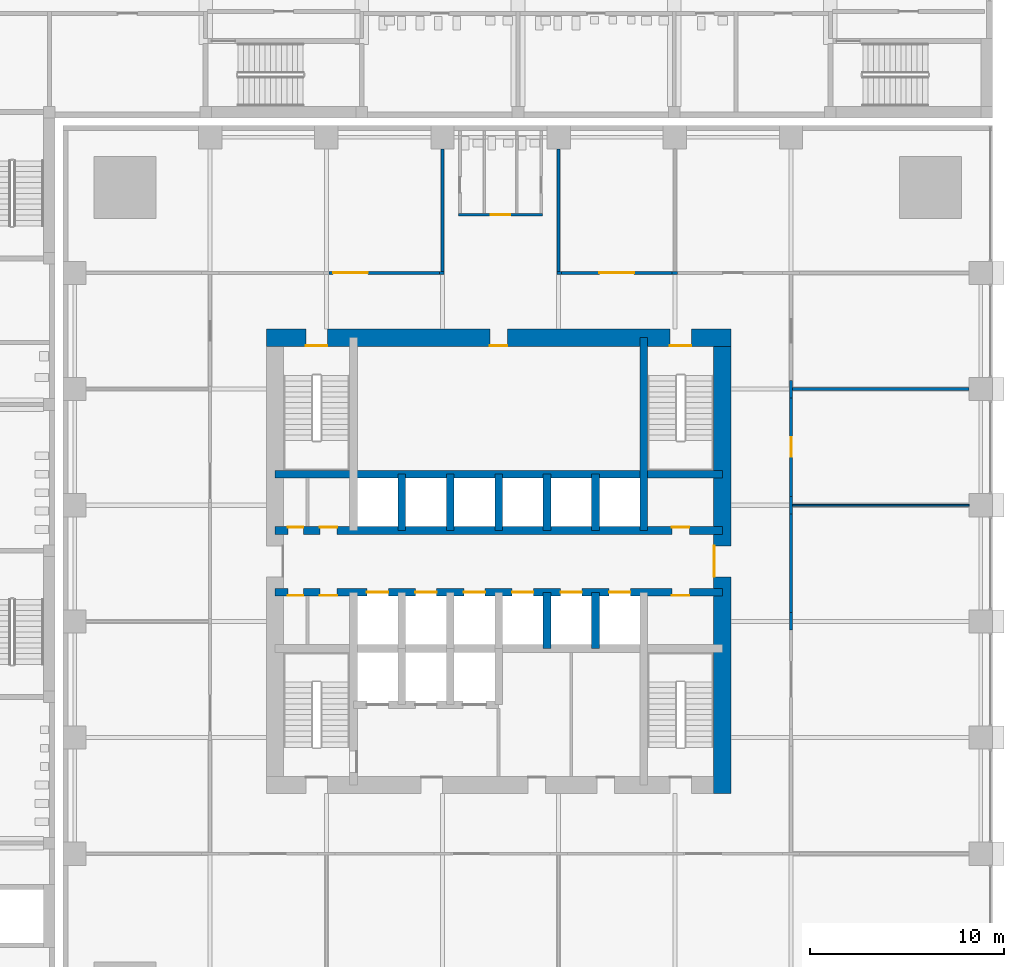
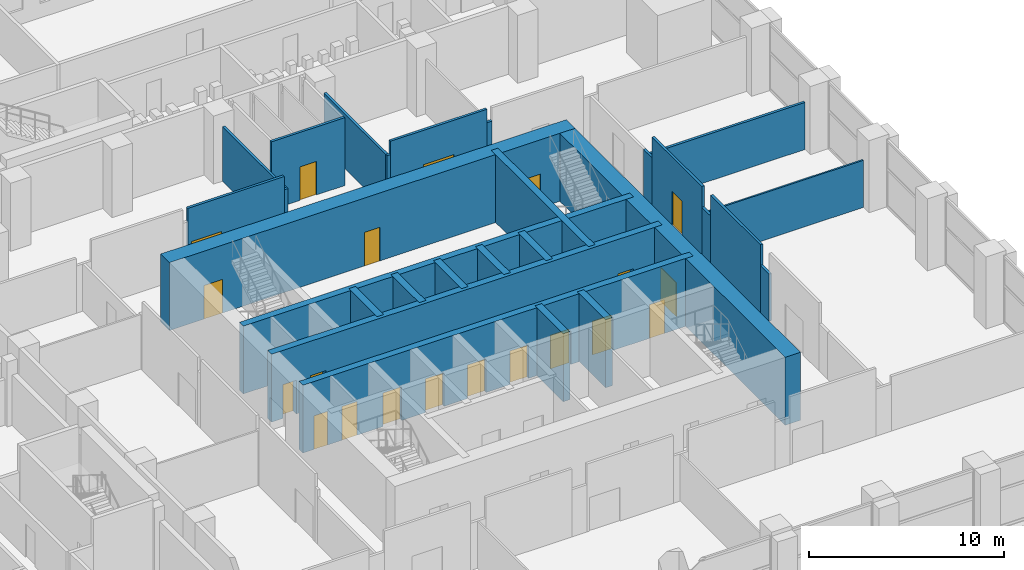
# One storey, part 14 of 24: 28 walls, 20 doors, 20 openings.
"""IFC4 building model written with IfcOpenShell, lengths in metres."""

from ifc_helpers import new_model, si_unit, direction, frame, frame_2d, origin, place, context, subcontext, project, spatial, rectangle, extrude, material, layer, layer_set, type_object, element, fill, save


model = new_model("IFC4")

# Units and contexts
model_context = context("Model", 3, precision=1e-05, world=origin(), true_north=direction((0.0, 1.0)))
body_context = subcontext(model_context, "Body", "Model", "MODEL_VIEW")
ifc_project = project(units=[si_unit("LENGTHUNIT", "METRE"), si_unit("AREAUNIT", "SQUARE_METRE"), si_unit("VOLUMEUNIT", "CUBIC_METRE"), si_unit("PLANEANGLEUNIT", "RADIAN"), si_unit("MASSUNIT", "GRAM", prefix="KILO")], contexts=[model_context])

# Site, building, storey
site_placement = place(None, origin())
site = spatial("IfcSite", under=ifc_project, at=site_placement, CompositionType="ELEMENT")
building_placement = place(site_placement, origin())
building = spatial("IfcBuilding", under=site, at=building_placement, Name="Amberfall Residences", CompositionType="ELEMENT")
storey_placement = place(building_placement, frame((0.0, 0.0, 19.0)))
storey = spatial("IfcBuildingStorey", under=building, at=storey_placement, Name="L04", CompositionType="ELEMENT", Elevation=19.0)

# Wall, openings, doors
ifc_material_1 = material(Name="Concrete C80", Category="concrete")
ifc_layer_1 = layer(ifc_material_1, 0.39990234375)
ifc_layer_set_1 = layer_set([ifc_layer_1], Name="Core wall 400 C80")
wall_type_1 = type_object("IfcWallType", Name="Core wall 400 C80", PredefinedType="SHEAR", material=ifc_layer_set_1)
wall_1_placement = place(storey_placement, frame((62.949951171875, 43.89990234375, 0.0), z_axis=(0.0, 0.0, 1.0), x_axis=(1.0, 0.0, 0.0)))
wall_1 = element("IfcWall", 1, at=wall_1_placement, inside=storey, type_object=wall_type_1, Name="Core wall RW2 L04 H104", PredefinedType="SHEAR", context=body_context, shape_type="SweptSolid", body=[
    extrude(rectangle(XDim=23.10009765625, YDim=0.39990234375, at=frame_2d((11.550048828125, 0.0))), origin(), (0.0, 0.0, 1.0), 4.25),
])
opening_1_placement = place(wall_1_placement, frame((0.662109375, 0.0, 0.0)))
opening_1 = element("IfcOpeningElement", 2, at=opening_1_placement, cuts=wall_1, Name="Opening RD2", PredefinedType="OPENING", context=body_context, shape_type="SweptSolid", body=[
    extrude(rectangle(XDim=0.800048828125, YDim=2.10009765625, at=frame_2d((0.39990234375, 1.050048828125))), frame((0.0, 0.2099609375, 0.0), z_axis=(0.0, -1.0, 0.0), x_axis=(1.0, 0.0, 0.0)), (0.0, 0.0, 1.0), 0.419921875),
])
opening_2_placement = place(wall_1_placement, frame((2.31201171875, 0.0, 0.0)))
opening_2 = element("IfcOpeningElement", 3, at=opening_2_placement, cuts=wall_1, Name="Opening RD1", PredefinedType="OPENING", context=body_context, shape_type="SweptSolid", body=[
    extrude(rectangle(XDim=0.89990234375, YDim=2.10009765625, at=frame_2d((0.449951171875, 1.050048828125))), frame((0.0, 0.2099609375, 0.0), z_axis=(0.0, -1.0, 0.0), x_axis=(1.0, 0.0, 0.0)), (0.0, 0.0, 1.0), 0.419921875),
])
opening_3_placement = place(wall_1_placement, frame((20.5, 0.0, 0.0)))
opening_3 = element("IfcOpeningElement", 4, at=opening_3_placement, cuts=wall_1, Name="Opening RD1", PredefinedType="OPENING", context=body_context, shape_type="SweptSolid", body=[
    extrude(rectangle(XDim=0.89990234375, YDim=2.10009765625, at=frame_2d((0.449951171875, 1.050048828125))), frame((0.0, 0.2099609375, 0.0), z_axis=(0.0, -1.0, 0.0), x_axis=(1.0, 0.0, 0.0)), (0.0, 0.0, 1.0), 0.419921875),
])
opening_4_placement = place(wall_1_placement, frame((4.75, 0.0, 0.0)))
opening_4 = element("IfcOpeningElement", 5, at=opening_4_placement, cuts=wall_1, Name="Opening LD1", PredefinedType="OPENING", context=body_context, shape_type="SweptSolid", body=[
    extrude(rectangle(XDim=1.10009765625, YDim=2.10009765625, at=frame_2d((0.550048828125, 1.050048828125))), frame((0.0, 0.2099609375, 0.0), z_axis=(0.0, -1.0, 0.0), x_axis=(1.0, 0.0, 0.0)), (0.0, 0.0, 1.0), 0.419921875),
])
opening_5_placement = place(wall_1_placement, frame((7.25, 0.0, 0.0)))
opening_5 = element("IfcOpeningElement", 6, at=opening_5_placement, cuts=wall_1, Name="Opening LD1", PredefinedType="OPENING", context=body_context, shape_type="SweptSolid", body=[
    extrude(rectangle(XDim=1.10009765625, YDim=2.10009765625, at=frame_2d((0.550048828125, 1.050048828125))), frame((0.0, 0.2099609375, 0.0), z_axis=(0.0, -1.0, 0.0), x_axis=(1.0, 0.0, 0.0)), (0.0, 0.0, 1.0), 0.419921875),
])
opening_6_placement = place(wall_1_placement, frame((9.75, 0.0, 0.0)))
opening_6 = element("IfcOpeningElement", 7, at=opening_6_placement, cuts=wall_1, Name="Opening LD1", PredefinedType="OPENING", context=body_context, shape_type="SweptSolid", body=[
    extrude(rectangle(XDim=1.10009765625, YDim=2.10009765625, at=frame_2d((0.550048828125, 1.050048828125))), frame((0.0, 0.2099609375, 0.0), z_axis=(0.0, -1.0, 0.0), x_axis=(1.0, 0.0, 0.0)), (0.0, 0.0, 1.0), 0.419921875),
])
opening_7_placement = place(wall_1_placement, frame((12.25, 0.0, 0.0)))
opening_7 = element("IfcOpeningElement", 8, at=opening_7_placement, cuts=wall_1, Name="Opening LD1", PredefinedType="OPENING", context=body_context, shape_type="SweptSolid", body=[
    extrude(rectangle(XDim=1.10009765625, YDim=2.10009765625, at=frame_2d((0.550048828125, 1.050048828125))), frame((0.0, 0.2099609375, 0.0), z_axis=(0.0, -1.0, 0.0), x_axis=(1.0, 0.0, 0.0)), (0.0, 0.0, 1.0), 0.419921875),
])
opening_8_placement = place(wall_1_placement, frame((14.75, 0.0, 0.0)))
opening_8 = element("IfcOpeningElement", 9, at=opening_8_placement, cuts=wall_1, Name="Opening LD1", PredefinedType="OPENING", context=body_context, shape_type="SweptSolid", body=[
    extrude(rectangle(XDim=1.10009765625, YDim=2.10009765625, at=frame_2d((0.550048828125, 1.050048828125))), frame((0.0, 0.2099609375, 0.0), z_axis=(0.0, -1.0, 0.0), x_axis=(1.0, 0.0, 0.0)), (0.0, 0.0, 1.0), 0.419921875),
])
opening_9_placement = place(wall_1_placement, frame((17.25, 0.0, 0.0)))
opening_9 = element("IfcOpeningElement", 10, at=opening_9_placement, cuts=wall_1, Name="Opening LD1", PredefinedType="OPENING", context=body_context, shape_type="SweptSolid", body=[
    extrude(rectangle(XDim=1.10009765625, YDim=2.10009765625, at=frame_2d((0.550048828125, 1.050048828125))), frame((0.0, 0.2099609375, 0.0), z_axis=(0.0, -1.0, 0.0), x_axis=(1.0, 0.0, 0.0)), (0.0, 0.0, 1.0), 0.419921875),
])
ifc_material_2 = material(Name="Steel fire door set", Category="steel")
door_type_1 = type_object("IfcDoorType", Name="Lift landing door 1100 x 2100", OperationType="DOUBLE_DOOR_SLIDING", PredefinedType="DOOR", material=ifc_material_2)
door_1_placement = place(opening_4_placement, origin())
door_1 = element("IfcDoor", 11, at=door_1_placement, inside=storey, type_object=door_type_1, Name="Landing door LP1 L04", OperationType="DOUBLE_DOOR_SLIDING", OverallHeight=2.10009765625, OverallWidth=1.10009765625, PredefinedType="DOOR", context=body_context, shape_type="SweptSolid", body=[
    extrude(rectangle(XDim=1.10009765625, YDim=2.10009765625, at=frame_2d((0.550048828125, 1.050048828125))), frame((0.0, 0.02490234375, 0.0), z_axis=(0.0, -1.0, 0.0), x_axis=(1.0, 0.0, 0.0)), (0.0, 0.0, 1.0), 0.050048828125),
])
fill(opening_4, door_1)
door_2_placement = place(opening_5_placement, origin())
door_2 = element("IfcDoor", 12, at=door_2_placement, inside=storey, type_object=door_type_1, Name="Landing door LP2 L04", OperationType="DOUBLE_DOOR_SLIDING", OverallHeight=2.10009765625, OverallWidth=1.10009765625, PredefinedType="DOOR", context=body_context, shape_type="SweptSolid", body=[
    extrude(rectangle(XDim=1.10009765625, YDim=2.10009765625, at=frame_2d((0.550048828125, 1.050048828125))), frame((0.0, 0.02490234375, 0.0), z_axis=(0.0, -1.0, 0.0), x_axis=(1.0, 0.0, 0.0)), (0.0, 0.0, 1.0), 0.050048828125),
])
fill(opening_5, door_2)
door_3_placement = place(opening_6_placement, origin())
door_3 = element("IfcDoor", 13, at=door_3_placement, inside=storey, type_object=door_type_1, Name="Landing door LP3 L04", OperationType="DOUBLE_DOOR_SLIDING", OverallHeight=2.10009765625, OverallWidth=1.10009765625, PredefinedType="DOOR", context=body_context, shape_type="SweptSolid", body=[
    extrude(rectangle(XDim=1.10009765625, YDim=2.10009765625, at=frame_2d((0.550048828125, 1.050048828125))), frame((0.0, 0.02490234375, 0.0), z_axis=(0.0, -1.0, 0.0), x_axis=(1.0, 0.0, 0.0)), (0.0, 0.0, 1.0), 0.050048828125),
])
fill(opening_6, door_3)
door_4_placement = place(opening_7_placement, origin())
door_4 = element("IfcDoor", 14, at=door_4_placement, inside=storey, type_object=door_type_1, Name="Landing door LP4 L04", OperationType="DOUBLE_DOOR_SLIDING", OverallHeight=2.10009765625, OverallWidth=1.10009765625, PredefinedType="DOOR", context=body_context, shape_type="SweptSolid", body=[
    extrude(rectangle(XDim=1.10009765625, YDim=2.10009765625, at=frame_2d((0.550048828125, 1.050048828125))), frame((0.0, 0.02490234375, 0.0), z_axis=(0.0, -1.0, 0.0), x_axis=(1.0, 0.0, 0.0)), (0.0, 0.0, 1.0), 0.050048828125),
])
fill(opening_7, door_4)
door_5_placement = place(opening_8_placement, origin())
door_5 = element("IfcDoor", 15, at=door_5_placement, inside=storey, type_object=door_type_1, Name="Landing door LP5 L04", OperationType="DOUBLE_DOOR_SLIDING", OverallHeight=2.10009765625, OverallWidth=1.10009765625, PredefinedType="DOOR", context=body_context, shape_type="SweptSolid", body=[
    extrude(rectangle(XDim=1.10009765625, YDim=2.10009765625, at=frame_2d((0.550048828125, 1.050048828125))), frame((0.0, 0.02490234375, 0.0), z_axis=(0.0, -1.0, 0.0), x_axis=(1.0, 0.0, 0.0)), (0.0, 0.0, 1.0), 0.050048828125),
])
fill(opening_8, door_5)
door_6_placement = place(opening_9_placement, origin())
door_6 = element("IfcDoor", 16, at=door_6_placement, inside=storey, type_object=door_type_1, Name="Landing door LP6 L04", OperationType="DOUBLE_DOOR_SLIDING", OverallHeight=2.10009765625, OverallWidth=1.10009765625, PredefinedType="DOOR", context=body_context, shape_type="SweptSolid", body=[
    extrude(rectangle(XDim=1.10009765625, YDim=2.10009765625, at=frame_2d((0.550048828125, 1.050048828125))), frame((0.0, 0.02490234375, 0.0), z_axis=(0.0, -1.0, 0.0), x_axis=(1.0, 0.0, 0.0)), (0.0, 0.0, 1.0), 0.050048828125),
])
fill(opening_9, door_6)
door_type_2 = type_object("IfcDoorType", Name="Service room door 800 x 2100", OperationType="SINGLE_SWING_LEFT", PredefinedType="DOOR", material=ifc_material_2)
door_7_placement = place(opening_1_placement, origin())
door_7 = element("IfcDoor", 17, at=door_7_placement, inside=storey, type_object=door_type_2, Name="RD2 L04", OperationType="SINGLE_SWING_LEFT", OverallHeight=2.10009765625, OverallWidth=0.800048828125, PredefinedType="DOOR", context=body_context, shape_type="SweptSolid", body=[
    extrude(rectangle(XDim=0.800048828125, YDim=2.10009765625, at=frame_2d((0.39990234375, 1.050048828125))), frame((0.0, -0.1376953125, 0.0), z_axis=(0.0, -1.0, 0.0), x_axis=(1.0, 0.0, 0.0)), (0.0, 0.0, 1.0), 0.050048828125),
])
fill(opening_1, door_7)
door_type_3 = type_object("IfcDoorType", Name="Service room door 900 x 2100", OperationType="SINGLE_SWING_LEFT", PredefinedType="DOOR", material=ifc_material_2)
door_8_placement = place(opening_2_placement, origin())
door_8 = element("IfcDoor", 18, at=door_8_placement, inside=storey, type_object=door_type_3, Name="RD1 L04", OperationType="SINGLE_SWING_RIGHT", OverallHeight=2.10009765625, OverallWidth=0.89990234375, PredefinedType="DOOR", context=body_context, shape_type="SweptSolid", body=[
    extrude(rectangle(XDim=0.89990234375, YDim=2.10009765625, at=frame_2d((0.449951171875, 1.050048828125))), frame((0.0, -0.1376953125, 0.0), z_axis=(0.0, -1.0, 0.0), x_axis=(1.0, 0.0, 0.0)), (0.0, 0.0, 1.0), 0.050048828125),
])
fill(opening_2, door_8)
door_9_placement = place(opening_3_placement, origin())
door_9 = element("IfcDoor", 19, at=door_9_placement, inside=storey, type_object=door_type_3, Name="RD1 L04", OperationType="SINGLE_SWING_LEFT", OverallHeight=2.10009765625, OverallWidth=0.89990234375, PredefinedType="DOOR", context=body_context, shape_type="SweptSolid", body=[
    extrude(rectangle(XDim=0.89990234375, YDim=2.10009765625, at=frame_2d((0.449951171875, 1.050048828125))), frame((0.0, -0.1376953125, 0.0), z_axis=(0.0, -1.0, 0.0), x_axis=(1.0, 0.0, 0.0)), (0.0, 0.0, 1.0), 0.050048828125),
])
fill(opening_3, door_9)

wall_2_placement = place(storey_placement, frame((62.949951171875, 47.10009765625, 0.0), z_axis=(0.0, 0.0, 1.0), x_axis=(1.0, 0.0, 0.0)))
wall_2 = element("IfcWall", 20, at=wall_2_placement, inside=storey, type_object=wall_type_1, Name="Core wall RW2 L04 H136", PredefinedType="SHEAR", context=body_context, shape_type="SweptSolid", body=[
    extrude(rectangle(XDim=23.10009765625, YDim=0.39990234375, at=frame_2d((11.550048828125, 0.0))), origin(), (0.0, 0.0, 1.0), 4.25),
])
opening_10_placement = place(wall_2_placement, frame((0.662109375, 0.0, 0.0)))
opening_10 = element("IfcOpeningElement", 21, at=opening_10_placement, cuts=wall_2, Name="Opening RD2", PredefinedType="OPENING", context=body_context, shape_type="SweptSolid", body=[
    extrude(rectangle(XDim=0.800048828125, YDim=2.10009765625, at=frame_2d((0.39990234375, 1.050048828125))), frame((0.0, 0.2099609375, 0.0), z_axis=(0.0, -1.0, 0.0), x_axis=(1.0, 0.0, 0.0)), (0.0, 0.0, 1.0), 0.419921875),
])
opening_11_placement = place(wall_2_placement, frame((2.31201171875, 0.0, 0.0)))
opening_11 = element("IfcOpeningElement", 22, at=opening_11_placement, cuts=wall_2, Name="Opening RD1", PredefinedType="OPENING", context=body_context, shape_type="SweptSolid", body=[
    extrude(rectangle(XDim=0.89990234375, YDim=2.10009765625, at=frame_2d((0.449951171875, 1.050048828125))), frame((0.0, 0.2099609375, 0.0), z_axis=(0.0, -1.0, 0.0), x_axis=(1.0, 0.0, 0.0)), (0.0, 0.0, 1.0), 0.419921875),
])
opening_12_placement = place(wall_2_placement, frame((20.5, 0.0, 0.0)))
opening_12 = element("IfcOpeningElement", 23, at=opening_12_placement, cuts=wall_2, Name="Opening RD1", PredefinedType="OPENING", context=body_context, shape_type="SweptSolid", body=[
    extrude(rectangle(XDim=0.89990234375, YDim=2.10009765625, at=frame_2d((0.449951171875, 1.050048828125))), frame((0.0, 0.2099609375, 0.0), z_axis=(0.0, -1.0, 0.0), x_axis=(1.0, 0.0, 0.0)), (0.0, 0.0, 1.0), 0.419921875),
])
door_10_placement = place(opening_10_placement, origin())
door_10 = element("IfcDoor", 24, at=door_10_placement, inside=storey, type_object=door_type_2, Name="RD2 L04", OperationType="SINGLE_SWING_LEFT", OverallHeight=2.10009765625, OverallWidth=0.800048828125, PredefinedType="DOOR", context=body_context, shape_type="SweptSolid", body=[
    extrude(rectangle(XDim=0.800048828125, YDim=2.10009765625, at=frame_2d((0.39990234375, 1.050048828125))), frame((0.0, 0.1875, 0.0), z_axis=(0.0, -1.0, 0.0), x_axis=(1.0, 0.0, 0.0)), (0.0, 0.0, 1.0), 0.050048828125),
])
fill(opening_10, door_10)
door_11_placement = place(opening_11_placement, origin())
door_11 = element("IfcDoor", 25, at=door_11_placement, inside=storey, type_object=door_type_3, Name="RD1 L04", OperationType="SINGLE_SWING_RIGHT", OverallHeight=2.10009765625, OverallWidth=0.89990234375, PredefinedType="DOOR", context=body_context, shape_type="SweptSolid", body=[
    extrude(rectangle(XDim=0.89990234375, YDim=2.10009765625, at=frame_2d((0.449951171875, 1.050048828125))), frame((0.0, 0.1875, 0.0), z_axis=(0.0, -1.0, 0.0), x_axis=(1.0, 0.0, 0.0)), (0.0, 0.0, 1.0), 0.050048828125),
])
fill(opening_11, door_11)
door_12_placement = place(opening_12_placement, origin())
door_12 = element("IfcDoor", 26, at=door_12_placement, inside=storey, type_object=door_type_3, Name="RD1 L04", OperationType="SINGLE_SWING_LEFT", OverallHeight=2.10009765625, OverallWidth=0.89990234375, PredefinedType="DOOR", context=body_context, shape_type="SweptSolid", body=[
    extrude(rectangle(XDim=0.89990234375, YDim=2.10009765625, at=frame_2d((0.449951171875, 1.050048828125))), frame((0.0, 0.1875, 0.0), z_axis=(0.0, -1.0, 0.0), x_axis=(1.0, 0.0, 0.0)), (0.0, 0.0, 1.0), 0.050048828125),
])
fill(opening_12, door_12)

# Walls
wall_3_placement = place(storey_placement, frame((62.949951171875, 50.0, 0.0), z_axis=(0.0, 0.0, 1.0), x_axis=(1.0, 0.0, 0.0)))
element("IfcWall", 27, at=wall_3_placement, inside=storey, type_object=wall_type_1, Name="Core wall RW2 L04 H165", PredefinedType="SHEAR", context=body_context, shape_type="SweptSolid", body=[
    extrude(rectangle(XDim=23.10009765625, YDim=0.39990234375, at=frame_2d((11.550048828125, 0.0))), origin(), (0.0, 0.0, 1.0), 4.25),
])
wall_4_placement = place(storey_placement, frame((82.0, 47.10009765625, 0.0), z_axis=(0.0, 0.0, 1.0), x_axis=(0.0, 1.0, 0.0)))
element("IfcWall", 28, at=wall_4_placement, inside=storey, type_object=wall_type_1, Name="Core wall RW2 L04 V195N", PredefinedType="SHEAR", context=body_context, shape_type="SweptSolid", body=[
    extrude(rectangle(XDim=9.949951171875, YDim=0.39990234375, at=frame_2d((4.97509765625, 0.0))), origin(), (0.0, 0.0, 1.0), 4.25),
])
for number, where, z_axis, x_axis, name in (
    (29, (69.5, 47.10009765625, 0.0), (0.0, 0.0, 1.0), (0.0, 1.0, 0.0), "Core wall RW2 L04 HPD1"),
    (30, (72.0, 47.10009765625, 0.0), (0.0, 0.0, 1.0), (0.0, 1.0, 0.0), "Core wall RW2 L04 HPD2"),
    (31, (74.5, 47.10009765625, 0.0), (0.0, 0.0, 1.0), (0.0, 1.0, 0.0), "Core wall RW2 L04 HPD3"),
    (32, (77.0, 41.0, 0.0), (0.0, 0.0, 1.0), (0.0, 1.0, 0.0), "Core wall RW2 L04 LPD4"),
    (33, (77.0, 47.10009765625, 0.0), (0.0, 0.0, 1.0), (0.0, 1.0, 0.0), "Core wall RW2 L04 HPD4"),
    (34, (79.5, 41.0, 0.0), (0.0, 0.0, 1.0), (0.0, 1.0, 0.0), "Core wall RW2 L04 LPD5"),
    (35, (79.5, 47.10009765625, 0.0), (0.0, 0.0, 1.0), (0.0, 1.0, 0.0), "Core wall RW2 L04 HPD5"),
):
    element("IfcWall", number, at=place(storey_placement, frame(where, z_axis=z_axis, x_axis=x_axis)), inside=storey, type_object=wall_type_1, Name=name, PredefinedType="SHEAR", context=body_context, shape_type="SweptSolid", body=[
        extrude(rectangle(XDim=2.89990234375, YDim=0.39990234375, at=frame_2d((1.449951171875, 0.0))), origin(), (0.0, 0.0, 1.0), 4.25),
    ])

# Wall, openings, doors
ifc_layer_2 = layer(ifc_material_1, 0.89990234375)
ifc_layer_set_2 = layer_set([ifc_layer_2], Name="Core wall 900 C80")
wall_type_2 = type_object("IfcWallType", Name="Core wall 900 C80", PredefinedType="SHEAR", material=ifc_layer_set_2)
wall_5_placement = place(storey_placement, frame((62.5, 57.050048828125, 0.0), z_axis=(0.0, 0.0, 1.0), x_axis=(1.0, 0.0, 0.0)))
wall_5 = element("IfcWall", 36, at=wall_5_placement, inside=storey, type_object=wall_type_2, Name="Core wall RW1 L04 ON", PredefinedType="SHEAR", context=body_context, shape_type="SweptSolid", body=[
    extrude(rectangle(XDim=24.0, YDim=0.89990234375, at=frame_2d((12.0, 0.0))), origin(), (0.0, 0.0, 1.0), 4.25),
])
opening_13_placement = place(wall_5_placement, frame((20.85009765625, 0.0, 0.0)))
opening_13 = element("IfcOpeningElement", 37, at=opening_13_placement, cuts=wall_5, Name="Opening SD1", PredefinedType="OPENING", context=body_context, shape_type="SweptSolid", body=[
    extrude(rectangle(XDim=1.10009765625, YDim=2.10009765625, at=frame_2d((0.550048828125, 1.050048828125))), frame((0.0, 0.4599609375, 0.0), z_axis=(0.0, -1.0, 0.0), x_axis=(1.0, 0.0, 0.0)), (0.0, 0.0, 1.0), 0.919921875),
])
opening_14_placement = place(wall_5_placement, frame((2.050048828125, 0.0, 0.0)))
opening_14 = element("IfcOpeningElement", 38, at=opening_14_placement, cuts=wall_5, Name="Opening SD1", PredefinedType="OPENING", context=body_context, shape_type="SweptSolid", body=[
    extrude(rectangle(XDim=1.10009765625, YDim=2.10009765625, at=frame_2d((0.550048828125, 1.050048828125))), frame((0.0, 0.4599609375, 0.0), z_axis=(0.0, -1.0, 0.0), x_axis=(1.0, 0.0, 0.0)), (0.0, 0.0, 1.0), 0.919921875),
])
opening_15_placement = place(wall_5_placement, frame((11.550048828125, 0.0, 0.0)))
opening_15 = element("IfcOpeningElement", 39, at=opening_15_placement, cuts=wall_5, Name="Opening RD1", PredefinedType="OPENING", context=body_context, shape_type="SweptSolid", body=[
    extrude(rectangle(XDim=0.89990234375, YDim=2.10009765625, at=frame_2d((0.449951171875, 1.050048828125))), frame((0.0, 0.4599609375, 0.0), z_axis=(0.0, -1.0, 0.0), x_axis=(1.0, 0.0, 0.0)), (0.0, 0.0, 1.0), 0.919921875),
])
door_13_placement = place(opening_15_placement, origin())
door_13 = element("IfcDoor", 40, at=door_13_placement, inside=storey, type_object=door_type_3, Name="RD1 L04", OperationType="SINGLE_SWING_RIGHT", OverallHeight=2.10009765625, OverallWidth=0.89990234375, PredefinedType="DOOR", context=body_context, shape_type="SweptSolid", body=[
    extrude(rectangle(XDim=0.89990234375, YDim=2.10009765625, at=frame_2d((0.449951171875, 1.050048828125))), frame((0.0, -0.3876953125, 0.0), z_axis=(0.0, -1.0, 0.0), x_axis=(1.0, 0.0, 0.0)), (0.0, 0.0, 1.0), 0.050048828125),
])
fill(opening_15, door_13)
door_type_4 = type_object("IfcDoorType", Name="Stair door 1100 x 2100", OperationType="SINGLE_SWING_LEFT", PredefinedType="DOOR", material=ifc_material_2)
door_14_placement = place(opening_13_placement, origin())
door_14 = element("IfcDoor", 41, at=door_14_placement, inside=storey, type_object=door_type_4, Name="SD1 L04", OperationType="SINGLE_SWING_RIGHT", OverallHeight=2.10009765625, OverallWidth=1.10009765625, PredefinedType="DOOR", context=body_context, shape_type="SweptSolid", body=[
    extrude(rectangle(XDim=1.10009765625, YDim=2.10009765625, at=frame_2d((0.550048828125, 1.050048828125))), frame((0.0, -0.3876953125, 0.0), z_axis=(0.0, -1.0, 0.0), x_axis=(1.0, 0.0, 0.0)), (0.0, 0.0, 1.0), 0.050048828125),
])
fill(opening_13, door_14)
door_15_placement = place(opening_14_placement, origin())
door_15 = element("IfcDoor", 42, at=door_15_placement, inside=storey, type_object=door_type_4, Name="SD1 L04", OperationType="SINGLE_SWING_LEFT", OverallHeight=2.10009765625, OverallWidth=1.10009765625, PredefinedType="DOOR", context=body_context, shape_type="SweptSolid", body=[
    extrude(rectangle(XDim=1.10009765625, YDim=2.10009765625, at=frame_2d((0.550048828125, 1.050048828125))), frame((0.0, -0.3876953125, 0.0), z_axis=(0.0, -1.0, 0.0), x_axis=(1.0, 0.0, 0.0)), (0.0, 0.0, 1.0), 0.050048828125),
])
fill(opening_14, door_15)

# Wall, opening, door
wall_6_placement = place(storey_placement, frame((86.050048828125, 33.5, 0.0), z_axis=(0.0, 0.0, 1.0), x_axis=(0.0, 1.0, 0.0)))
wall_6 = element("IfcWall", 43, at=wall_6_placement, inside=storey, type_object=wall_type_2, Name="Core wall RW1 L04 OE", PredefinedType="SHEAR", context=body_context, shape_type="SweptSolid", body=[
    extrude(rectangle(XDim=24.0, YDim=0.89990234375, at=frame_2d((12.0, 0.0))), origin(), (0.0, 0.0, 1.0), 4.25),
])
opening_16_placement = place(wall_6_placement, frame((11.199951171875, 0.0, 0.0)))
opening_16 = element("IfcOpeningElement", 44, at=opening_16_placement, cuts=wall_6, Name="Opening LB1", PredefinedType="OPENING", context=body_context, shape_type="SweptSolid", body=[
    extrude(rectangle(XDim=1.60009765625, YDim=2.10009765625, at=frame_2d((0.800048828125, 1.050048828125))), frame((0.0, 0.4599609375, 0.0), z_axis=(0.0, -1.0, 0.0), x_axis=(1.0, 0.0, 0.0)), (0.0, 0.0, 1.0), 0.919921875),
])
door_type_5 = type_object("IfcDoorType", Name="Lift lobby double door 1600 x 2100", OperationType="DOUBLE_DOOR_SINGLE_SWING", PredefinedType="DOOR", material=ifc_material_2)
door_16_placement = place(opening_16_placement, origin())
door_16 = element("IfcDoor", 45, at=door_16_placement, inside=storey, type_object=door_type_5, Name="LB1 L04", OperationType="DOUBLE_DOOR_SINGLE_SWING", OverallHeight=2.10009765625, OverallWidth=1.60009765625, PredefinedType="DOOR", context=body_context, shape_type="SweptSolid", body=[
    extrude(rectangle(XDim=1.60009765625, YDim=2.10009765625, at=frame_2d((0.800048828125, 1.050048828125))), frame((0.0, 0.4375, 0.0), z_axis=(0.0, -1.0, 0.0), x_axis=(1.0, 0.0, 0.0)), (0.0, 0.0, 1.0), 0.050048828125),
])
fill(opening_16, door_16)

# Walls
ifc_material_3 = material(Name="Gypsum board on steel studs", Category="steel")
ifc_layer_3 = layer(ifc_material_3, 0.10009765625)
ifc_layer_set_3 = layer_set([ifc_layer_3], Name="Partition 100")
wall_type_3 = type_object("IfcWallType", Name="Partition 100", PredefinedType="PARTITIONING", material=ifc_layer_set_3)
wall_7_placement = place(storey_placement, frame((89.675048828125, 48.39990234375, 0.0), z_axis=(0.0, 0.0, 1.0), x_axis=(1.0, 0.0, 0.0)))
element("IfcWall", 46, at=wall_7_placement, inside=storey, type_object=wall_type_3, Name="Partition 100 L04 002", PredefinedType="PARTITIONING", context=body_context, shape_type="SweptSolid", body=[
    extrude(rectangle(XDim=9.125, YDim=0.10009765625, at=frame_2d((4.5625, 0.0))), origin(), (0.0, 0.0, 1.0), 2.949951171875),
])
ifc_material_4 = material(Name="Fire-rated gypsum board on steel studs", Category="steel")
ifc_layer_4 = layer(ifc_material_4, 0.14990234375)
ifc_layer_set_4 = layer_set([ifc_layer_4], Name="Partition 150 fire-rated")
wall_type_4 = type_object("IfcWallType", Name="Partition 150 fire-rated", PredefinedType="PARTITIONING", material=ifc_layer_set_4)
wall_8_placement = place(storey_placement, frame((89.675048828125, 54.39990234375, 0.0), z_axis=(0.0, 0.0, 1.0), x_axis=(1.0, 0.0, 0.0)))
element("IfcWall", 47, at=wall_8_placement, inside=storey, type_object=wall_type_4, Name="Partition 150 fire-rated L04 014", PredefinedType="PARTITIONING", context=body_context, shape_type="SweptSolid", body=[
    extrude(rectangle(XDim=9.125, YDim=0.14990234375, at=frame_2d((4.5625, 0.0))), origin(), (0.0, 0.0, 1.0), 2.944091796875),
])

# Wall, opening, door
wall_9_placement = place(storey_placement, frame((65.745849609375, 60.39990234375, 0.0), z_axis=(0.0, 0.0, 1.0), x_axis=(1.0, 0.0, 0.0)))
wall_9 = element("IfcWall", 48, at=wall_9_placement, inside=storey, type_object=wall_type_4, Name="Partition 150 fire-rated L04 019", PredefinedType="PARTITIONING", context=body_context, shape_type="SweptSolid", body=[
    extrude(rectangle(XDim=5.708251953125, YDim=0.14990234375, at=frame_2d((2.85400390625, 0.0))), origin(), (0.0, 0.0, 1.0), 4.25),
])
opening_17_placement = place(wall_9_placement, frame((0.2041015625, 0.0, 0.0)))
opening_17 = element("IfcOpeningElement", 49, at=opening_17_placement, cuts=wall_9, Name="Opening D5", PredefinedType="OPENING", context=body_context, shape_type="SweptSolid", body=[
    extrude(rectangle(XDim=1.800048828125, YDim=2.10009765625, at=frame_2d((0.89990234375, 1.050048828125))), frame((0.0, 0.0849609375, 0.0), z_axis=(0.0, -1.0, 0.0), x_axis=(1.0, 0.0, 0.0)), (0.0, 0.0, 1.0), 0.169921875),
])
ifc_material_5 = material(Name="Timber veneer door leaf", Category="wood")
door_type_6 = type_object("IfcDoorType", Name="Double door 1800x2100", OperationType="DOUBLE_DOOR_SINGLE_SWING", PredefinedType="DOOR", material=ifc_material_5)
door_17_placement = place(opening_17_placement, origin())
door_17 = element("IfcDoor", 50, at=door_17_placement, inside=storey, type_object=door_type_6, Name="Door Kids' club", OperationType="DOUBLE_DOOR_SINGLE_SWING", OverallHeight=2.10009765625, OverallWidth=1.800048828125, PredefinedType="DOOR", context=body_context, shape_type="SweptSolid", body=[
    extrude(rectangle(XDim=1.800048828125, YDim=2.10009765625, at=frame_2d((0.89990234375, 1.050048828125))), frame((0.0, 0.02490234375, 0.0), z_axis=(0.0, -1.0, 0.0), x_axis=(1.0, 0.0, 0.0)), (0.0, 0.0, 1.0), 0.050048828125),
])
fill(opening_17, door_17)

# Walls
for number, where, z_axis, x_axis, name in (
    (51, (71.4541015625, 60.39990234375, 0.0), (0.0, 0.0, 1.0), (1.0, 0.0, 0.0), "Partition 150 fire-rated L04 020"),
    (52, (77.52490234375, 60.39990234375, 0.0), (0.0, 0.0, 1.0), (1.0, 0.0, 0.0), "Partition 150 fire-rated L04 021"),
):
    element("IfcWall", number, at=place(storey_placement, frame(where, z_axis=z_axis, x_axis=x_axis)), inside=storey, type_object=wall_type_4, Name=name, PredefinedType="PARTITIONING", context=body_context, shape_type="SweptSolid", body=[
        extrude(rectangle(XDim=0.220947265625, YDim=0.14990234375, at=frame_2d((0.1103515625, 0.0))), origin(), (0.0, 0.0, 1.0), 3.4150390625),
    ])

# Wall, opening, door
wall_10_placement = place(storey_placement, frame((77.745849609375, 60.39990234375, 0.0), z_axis=(0.0, 0.0, 1.0), x_axis=(1.0, 0.0, 0.0)))
wall_10 = element("IfcWall", 53, at=wall_10_placement, inside=storey, type_object=wall_type_4, Name="Partition 150 fire-rated L04 022", PredefinedType="PARTITIONING", context=body_context, shape_type="SweptSolid", body=[
    extrude(rectangle(XDim=5.708251953125, YDim=0.14990234375, at=frame_2d((2.85400390625, 0.0))), origin(), (0.0, 0.0, 1.0), 4.25),
])
opening_18_placement = place(wall_10_placement, frame((1.9541015625, 0.0, 0.0)))
opening_18 = element("IfcOpeningElement", 54, at=opening_18_placement, cuts=wall_10, Name="Opening D5", PredefinedType="OPENING", context=body_context, shape_type="SweptSolid", body=[
    extrude(rectangle(XDim=1.800048828125, YDim=2.10009765625, at=frame_2d((0.89990234375, 1.050048828125))), frame((0.0, 0.0849609375, 0.0), z_axis=(0.0, -1.0, 0.0), x_axis=(1.0, 0.0, 0.0)), (0.0, 0.0, 1.0), 0.169921875),
])
door_18_placement = place(opening_18_placement, origin())
door_18 = element("IfcDoor", 55, at=door_18_placement, inside=storey, type_object=door_type_6, Name="Door Parents' room", OperationType="DOUBLE_DOOR_SINGLE_SWING", OverallHeight=2.10009765625, OverallWidth=1.800048828125, PredefinedType="DOOR", context=body_context, shape_type="SweptSolid", body=[
    extrude(rectangle(XDim=1.800048828125, YDim=2.10009765625, at=frame_2d((0.89990234375, 1.050048828125))), frame((0.0, 0.02490234375, 0.0), z_axis=(0.0, -1.0, 0.0), x_axis=(1.0, 0.0, 0.0)), (0.0, 0.0, 1.0), 0.050048828125),
])
fill(opening_18, door_18)

# Wall
wall_11_placement = place(storey_placement, frame((83.4541015625, 60.39990234375, 0.0), z_axis=(0.0, 0.0, 1.0), x_axis=(1.0, 0.0, 0.0)))
element("IfcWall", 56, at=wall_11_placement, inside=storey, type_object=wall_type_4, Name="Partition 150 fire-rated L04 023", PredefinedType="PARTITIONING", context=body_context, shape_type="SweptSolid", body=[
    extrude(rectangle(XDim=0.291748046875, YDim=0.14990234375, at=frame_2d((0.14599609375, 0.0))), origin(), (0.0, 0.0, 1.0), 3.4150390625),
])

# Wall, opening, door
wall_12_placement = place(storey_placement, frame((72.425048828125, 63.39990234375, 0.0), z_axis=(0.0, 0.0, 1.0), x_axis=(1.0, 0.0, 0.0)))
wall_12 = element("IfcWall", 57, at=wall_12_placement, inside=storey, type_object=wall_type_4, Name="Partition 150 fire-rated L04 027", PredefinedType="PARTITIONING", context=body_context, shape_type="SweptSolid", body=[
    extrude(rectangle(XDim=4.349853515625, YDim=0.14990234375, at=frame_2d((2.1748046875, 0.0))), origin(), (0.0, 0.0, 1.0), 4.25),
])
opening_19_placement = place(wall_12_placement, frame((1.675048828125, 0.0, 0.0)))
opening_19 = element("IfcOpeningElement", 58, at=opening_19_placement, cuts=wall_12, Name="Opening D4", PredefinedType="OPENING", context=body_context, shape_type="SweptSolid", body=[
    extrude(rectangle(XDim=1.0, YDim=2.10009765625, at=frame_2d((0.5, 1.050048828125))), frame((0.0, 0.0849609375, 0.0), z_axis=(0.0, -1.0, 0.0), x_axis=(1.0, 0.0, 0.0)), (0.0, 0.0, 1.0), 0.169921875),
])
door_type_7 = type_object("IfcDoorType", Name="Accessible door 1000x2100", OperationType="SINGLE_SWING_LEFT", PredefinedType="DOOR", material=ifc_material_5)
door_19_placement = place(opening_19_placement, origin())
door_19 = element("IfcDoor", 59, at=door_19_placement, inside=storey, type_object=door_type_7, Name="Door Accessible WC L04", OperationType="SINGLE_SWING_LEFT", OverallHeight=2.10009765625, OverallWidth=1.0, PredefinedType="DOOR", context=body_context, shape_type="SweptSolid", body=[
    extrude(rectangle(XDim=1.0, YDim=2.10009765625, at=frame_2d((0.5, 1.050048828125))), frame((0.0, 0.02490234375, 0.0), z_axis=(0.0, -1.0, 0.0), x_axis=(1.0, 0.0, 0.0)), (0.0, 0.0, 1.0), 0.050048828125),
])
fill(opening_19, door_19)

# Walls
for number, where, z_axis, x_axis, name in (
    (60, (71.60009765625, 60.47509765625, 0.0), (0.0, 0.0, 1.0), (0.0, 1.0, 0.0), "Partition 150 fire-rated L04 037"),
    (61, (77.60009765625, 60.47509765625, 0.0), (0.0, 0.0, 1.0), (0.0, 1.0, 0.0), "Partition 150 fire-rated L04 044"),
):
    element("IfcWall", number, at=place(storey_placement, frame(where, z_axis=z_axis, x_axis=x_axis)), inside=storey, type_object=wall_type_4, Name=name, PredefinedType="PARTITIONING", context=body_context, shape_type="SweptSolid", body=[
        extrude(rectangle(XDim=6.324951171875, YDim=0.14990234375, at=frame_2d((3.16259765625, 0.0))), origin(), (0.0, 0.0, 1.0), 3.4150390625),
    ])
wall_13_placement = place(storey_placement, frame((89.60009765625, 41.949951171875, 0.0), z_axis=(0.0, 0.0, 1.0), x_axis=(0.0, 1.0, 0.0)))
element("IfcWall", 62, at=wall_13_placement, inside=storey, type_object=wall_type_4, Name="Partition 150 fire-rated L04 048", PredefinedType="PARTITIONING", context=body_context, shape_type="SweptSolid", body=[
    extrude(rectangle(XDim=0.900146484375, YDim=0.14990234375, at=frame_2d((0.4501953125, 0.0))), origin(), (0.0, 0.0, 1.0), 2.949951171875),
])
wall_14_placement = place(storey_placement, frame((89.60009765625, 42.85009765625, 0.0), z_axis=(0.0, 0.0, 1.0), x_axis=(0.0, 1.0, 0.0)))
element("IfcWall", 63, at=wall_14_placement, inside=storey, type_object=wall_type_4, Name="Partition 150 fire-rated L04 049", PredefinedType="PARTITIONING", context=body_context, shape_type="SweptSolid", body=[
    extrude(rectangle(XDim=5.099853515625, YDim=0.14990234375, at=frame_2d((2.5498046875, 0.0))), origin(), (0.0, 0.0, 1.0), 4.25),
])
wall_15_placement = place(storey_placement, frame((89.60009765625, 47.949951171875, 0.0), z_axis=(0.0, 0.0, 1.0), x_axis=(0.0, 1.0, 0.0)))
element("IfcWall", 64, at=wall_15_placement, inside=storey, type_object=wall_type_4, Name="Partition 150 fire-rated L04 050", PredefinedType="PARTITIONING", context=body_context, shape_type="SweptSolid", body=[
    extrude(rectangle(XDim=0.900146484375, YDim=0.14990234375, at=frame_2d((0.4501953125, 0.0))), origin(), (0.0, 0.0, 1.0), 2.949951171875),
])

# Wall, opening, door
wall_16_placement = place(storey_placement, frame((89.60009765625, 48.85009765625, 0.0), z_axis=(0.0, 0.0, 1.0), x_axis=(0.0, 1.0, 0.0)))
wall_16 = element("IfcWall", 65, at=wall_16_placement, inside=storey, type_object=wall_type_4, Name="Partition 150 fire-rated L04 051", PredefinedType="PARTITIONING", context=body_context, shape_type="SweptSolid", body=[
    extrude(rectangle(XDim=5.099853515625, YDim=0.14990234375, at=frame_2d((2.5498046875, 0.0))), origin(), (0.0, 0.0, 1.0), 4.25),
])
opening_20_placement = place(wall_16_placement, frame((2.050048828125, 0.0, 0.0)))
opening_20 = element("IfcOpeningElement", 66, at=opening_20_placement, cuts=wall_16, Name="Opening D2", PredefinedType="OPENING", context=body_context, shape_type="SweptSolid", body=[
    extrude(rectangle(XDim=1.0, YDim=2.10009765625, at=frame_2d((0.5, 1.050048828125))), frame((0.0, 0.0849609375, 0.0), z_axis=(0.0, -1.0, 0.0), x_axis=(1.0, 0.0, 0.0)), (0.0, 0.0, 1.0), 0.169921875),
])
ifc_material_6 = material(Name="Steel fire door leaf", Category="steel")
door_type_8 = type_object("IfcDoorType", Name="Fire door 1000x2100 FD30S", OperationType="SINGLE_SWING_LEFT", PredefinedType="DOOR", material=ifc_material_6)
door_20_placement = place(opening_20_placement, origin())
door_20 = element("IfcDoor", 67, at=door_20_placement, inside=storey, type_object=door_type_8, Name="Door Terrace store", OperationType="SINGLE_SWING_LEFT", OverallHeight=2.10009765625, OverallWidth=1.0, PredefinedType="DOOR", context=body_context, shape_type="SweptSolid", body=[
    extrude(rectangle(XDim=1.0, YDim=2.10009765625, at=frame_2d((0.5, 1.050048828125))), frame((0.0, 0.02490234375, 0.0), z_axis=(0.0, -1.0, 0.0), x_axis=(1.0, 0.0, 0.0)), (0.0, 0.0, 1.0), 0.050048828125),
])
fill(opening_20, door_20)

# Wall
wall_17_placement = place(storey_placement, frame((89.60009765625, 53.949951171875, 0.0), z_axis=(0.0, 0.0, 1.0), x_axis=(0.0, 1.0, 0.0)))
element("IfcWall", 68, at=wall_17_placement, inside=storey, type_object=wall_type_4, Name="Partition 150 fire-rated L04 052", PredefinedType="PARTITIONING", context=body_context, shape_type="SweptSolid", body=[
    extrude(rectangle(XDim=0.89501953125, YDim=0.14990234375, at=frame_2d((0.447509765625, 0.0))), origin(), (0.0, 0.0, 1.0), 2.944091796875),
])

save(model, "model.ifc")
